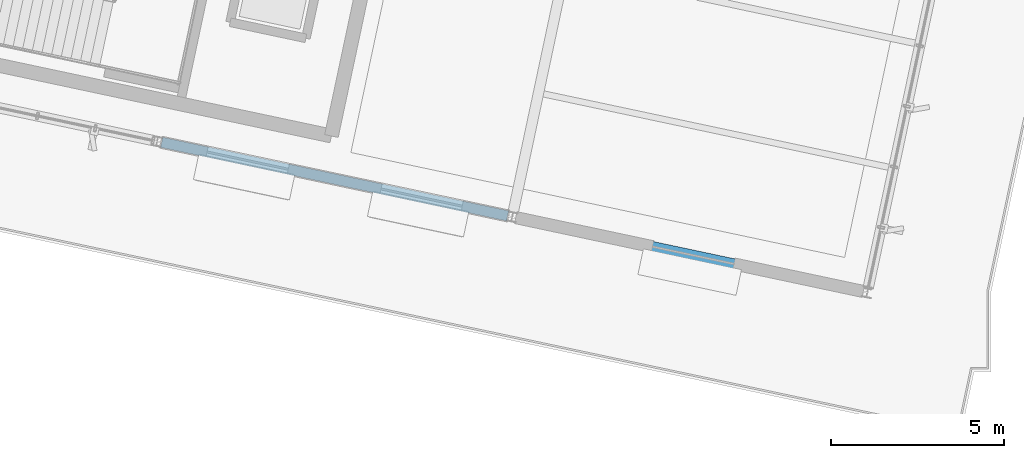
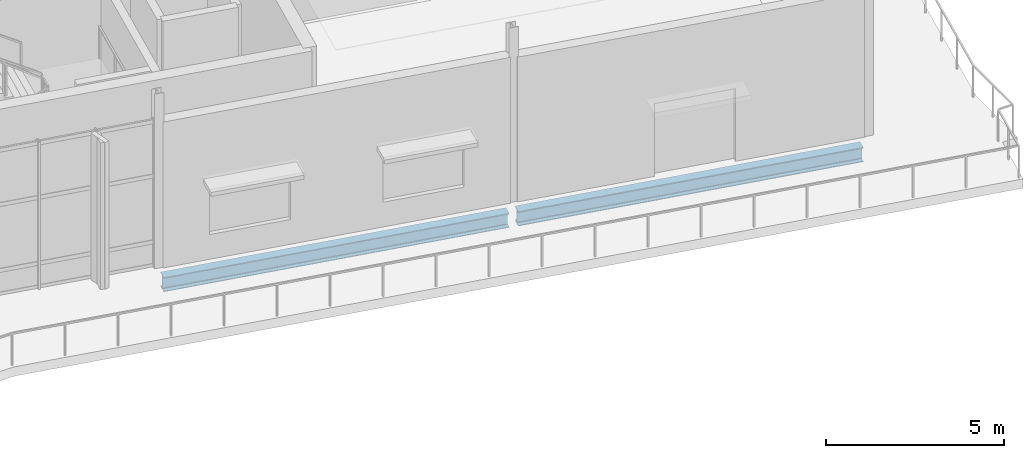
# One storey, part 30 of 163: 2 beams.
"""IFC4 building model written with IfcOpenShell, lengths in metres."""

from ifc_helpers import new_model, si_unit, direction, frame, origin, origin_2d, place, context, subcontext, project, spatial, i_section, extrude, material, material_profile, profile_set, type_object, element, save


model = new_model("IFC4")

# Units and contexts
model_context = context("Model", 3, precision=1e-05, world=origin(), true_north=direction((0.0, 1.0)))
body_context = subcontext(model_context, "Body", "Model", "MODEL_VIEW")
ifc_project = project(units=[si_unit("LENGTHUNIT", "METRE"), si_unit("AREAUNIT", "SQUARE_METRE"), si_unit("VOLUMEUNIT", "CUBIC_METRE"), si_unit("PLANEANGLEUNIT", "RADIAN"), si_unit("MASSUNIT", "GRAM", prefix="KILO")], contexts=[model_context])

# Site, building, storey
site_placement = place(None, origin())
site = spatial("IfcSite", under=ifc_project, at=site_placement, CompositionType="ELEMENT")
building_placement = place(site_placement, origin())
building = spatial("IfcBuilding", under=site, at=building_placement, Name="Khorjan Park Terminus", CompositionType="ELEMENT")
storey_placement = place(building_placement, origin())
storey = spatial("IfcBuildingStorey", under=building, at=storey_placement, Name="L00", CompositionType="ELEMENT", Elevation=0.0)

# Beams
ifc_material = material(Name="Steel S355", Category="steel")
ifc_material_profile_1 = material_profile(ifc_material, i_section(OverallWidth=0.3, OverallDepth=0.49, WebThickness=0.012, FlangeThickness=0.023, FilletRadius=0.027, at=origin_2d()), Name="HEA 500")
ifc_profile_set_1 = profile_set([ifc_material_profile_1], Name="Steel S355")
beam_type_1 = type_object("IfcBeamType", Name="BM-HEA500", PredefinedType="BEAM", material=ifc_profile_set_1)
beam_1_placement = place(storey_placement, frame((4.4026, 39.7889, -0.605), z_axis=(0.97814612919, -0.207918613766, 0.0), x_axis=(0.207918613766, 0.97814612919, 0.0)))
element("IfcBeam", 1, at=beam_1_placement, inside=storey, type_object=beam_type_1, Name="Primary skew-grid floor girder SB-A50 (L00)", PredefinedType="BEAM", context=body_context, shape_type="SweptSolid", body=[
    extrude(i_section(OverallWidth=0.3, OverallDepth=0.49, WebThickness=0.012, FlangeThickness=0.023, FilletRadius=0.027, at=origin_2d()), origin(), (0.0, 0.0, 1.0), 10.23),
])
ifc_material_profile_2 = material_profile(ifc_material, i_section(OverallWidth=0.3, OverallDepth=0.5, WebThickness=0.0145, FlangeThickness=0.028, FilletRadius=0.027, at=origin_2d()), Name="HEB 500")
ifc_profile_set_2 = profile_set([ifc_material_profile_2], Name="Steel S355")
beam_type_2 = type_object("IfcBeamType", Name="BM-HEB500", PredefinedType="BEAM", material=ifc_profile_set_2)
beam_2_placement = place(storey_placement, frame((14.6731, 37.6058, -0.61), z_axis=(0.978146887948, -0.207915044185, 0.0), x_axis=(0.207915044185, 0.978146887948, 0.0)))
element("IfcBeam", 2, at=beam_2_placement, inside=storey, type_object=beam_type_2, Name="Primary skew-grid floor girder SB-B50 (L00)", PredefinedType="BEAM", context=body_context, shape_type="SweptSolid", body=[
    extrude(i_section(OverallWidth=0.3, OverallDepth=0.5, WebThickness=0.0145, FlangeThickness=0.028, FilletRadius=0.027, at=origin_2d()), origin(), (0.0, 0.0, 1.0), 10.22),
])

save(model, "model.ifc")
